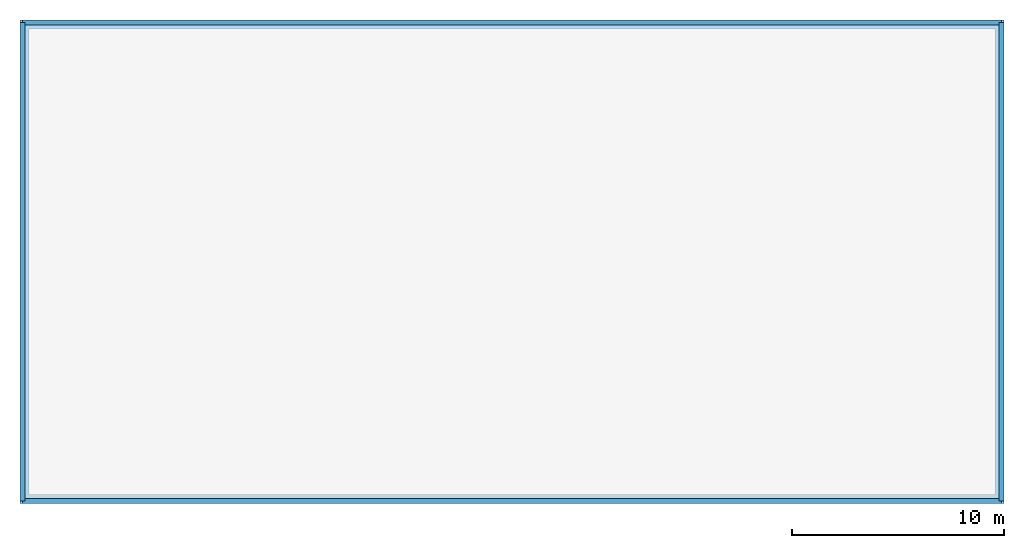
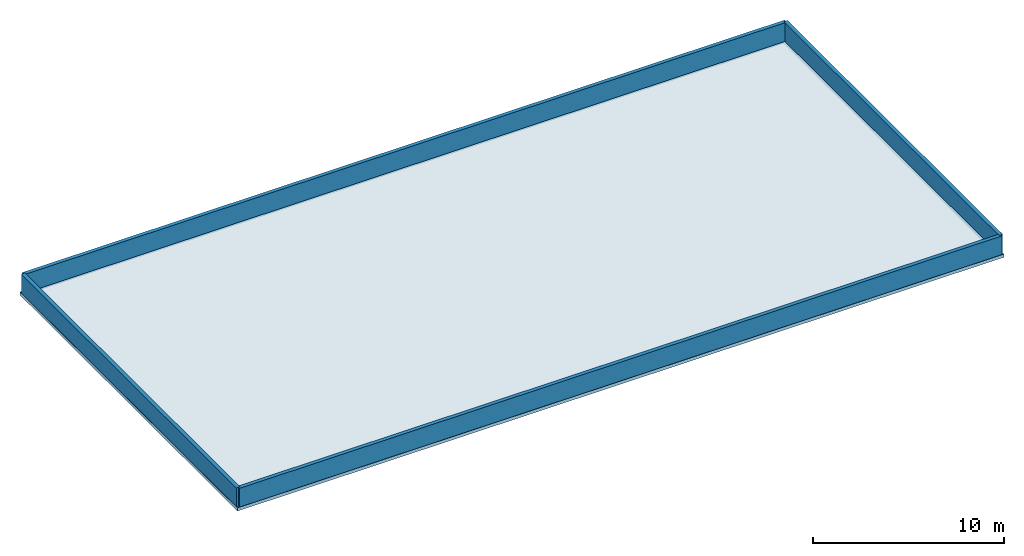
# One storey, part 1 of 2: 4 walls, 1 slab, 1 element without a shape of its own.
"""IFC4 building model written with IfcOpenShell, lengths in metres."""

from ifc_helpers import new_model, si_unit, direction, frame, frame_2d, origin, place, context, subcontext, project, spatial, polyline, rectangle, outline, extrude, material, layer, layer_set, type_object, element, aggregate, save


model = new_model("IFC4")

# Units and contexts
model_context = context("Model", 3, precision=1e-05, world=origin(), true_north=direction((0.0, 1.0)))
body_context = subcontext(model_context, "Body", "Model", "MODEL_VIEW")
ifc_project = project(units=[si_unit("LENGTHUNIT", "METRE"), si_unit("AREAUNIT", "SQUARE_METRE"), si_unit("VOLUMEUNIT", "CUBIC_METRE"), si_unit("PLANEANGLEUNIT", "RADIAN"), si_unit("MASSUNIT", "GRAM", prefix="KILO")], contexts=[model_context])

# Site, building, storey
site_placement = place(None, origin())
site = spatial("IfcSite", under=ifc_project, at=site_placement, CompositionType="ELEMENT")
building_placement = place(site_placement, origin())
building = spatial("IfcBuilding", under=site, at=building_placement, Name="Zulena Civic Courthouse", CompositionType="ELEMENT")
storey_placement = place(building_placement, frame((0.0, 0.0, 46.199951171875)))
storey = spatial("IfcBuildingStorey", under=building, at=storey_placement, Name="Roof", CompositionType="ELEMENT", Elevation=46.199951171875)

# Roof, slab
ifc_material_1 = material(Name="Insulated standing-seam zinc-aluminium roofing", Category="aluminium")
ifc_layer_1 = layer(ifc_material_1, 0.205078125)
ifc_layer_set_1 = layer_set([ifc_layer_1], Name="Insulated standing-seam zinc-aluminium roofing")
roof_type = type_object("IfcRoofType", Name="FlatRoofAssembly", PredefinedType="FLAT_ROOF", material=ifc_layer_set_1)
roof_placement = place(storey_placement, origin())
roof = element("IfcRoof", 1, at=roof_placement, inside=storey, type_object=roof_type, Name="roof:V2:Roof", PredefinedType="FLAT_ROOF")
ifc_material_2 = material(Name="Concrete C35/45", Category="concrete")
ifc_layer_2 = layer(ifc_material_2, 0.205078125)
ifc_layer_set_2 = layer_set([ifc_layer_2], Name="Concrete C35/45")
slab_type = type_object("IfcSlabType", Name="FlatRoofSlab_205", PredefinedType="ROOF", material=ifc_layer_set_2)
slab_placement = place(storey_placement, frame((0.0, 0.0, -0.204833984375)))
slab = element("IfcSlab", 2, at=slab_placement, type_object=slab_type, Name="slab:roof:V2:Roof", PredefinedType="ROOF", context=body_context, shape_type="SweptSolid", body=[
    extrude(outline(polyline([(20.0, 0.0), (66.39990234375, 0.0), (66.39990234375, 22.800048828125), (20.0, 22.800048828125), (20.0, 0.0)])), origin(), (0.0, 0.0, 1.0), 0.204833984375),
])
aggregate(roof, [slab])

# Walls
ifc_material_3 = material(Name="White architectural precast concrete C40/50", Category="concrete")
ifc_layer_3 = layer(ifc_material_3, 0.22509765625)
ifc_layer_set_3 = layer_set([ifc_layer_3], Name="White architectural precast concrete C40/50")
wall_type = type_object("IfcWallType", Name="Parapet_White_225", PredefinedType="PARAPET", material=ifc_layer_set_3)
wall_1_placement = place(storey_placement, frame((20.1201171875, 0.1201171875, 0.0), z_axis=(0.0, 0.0, 1.0), x_axis=(1.0, 0.0, 0.0)))
element("IfcWall", 3, at=wall_1_placement, inside=storey, type_object=wall_type, Name="parapet:V2:0", PredefinedType="PARAPET", context=body_context, shape_type="SweptSolid", body=[
    extrude(rectangle(XDim=46.159912109375, YDim=0.22509765625, at=frame_2d((23.080078125, 0.0))), origin(), (0.0, 0.0, 1.0), 1.199951171875),
])
wall_2_placement = place(storey_placement, frame((66.280029296875, 0.1201171875, 0.0), z_axis=(0.0, 0.0, 1.0), x_axis=(0.0, 1.0, 0.0)))
element("IfcWall", 4, at=wall_2_placement, inside=storey, type_object=wall_type, Name="parapet:V2:1", PredefinedType="PARAPET", context=body_context, shape_type="SweptSolid", body=[
    extrude(rectangle(XDim=22.559814453125, YDim=0.22509765625, at=frame_2d((11.27978515625, 0.0))), origin(), (0.0, 0.0, 1.0), 1.199951171875),
])
wall_3_placement = place(storey_placement, frame((66.280029296875, 22.679931640625, 0.0), z_axis=(0.0, 0.0, 1.0), x_axis=(-1.0, 0.0, 0.0)))
element("IfcWall", 5, at=wall_3_placement, inside=storey, type_object=wall_type, Name="parapet:V2:2", PredefinedType="PARAPET", context=body_context, shape_type="SweptSolid", body=[
    extrude(rectangle(XDim=46.159912109375, YDim=0.22509765625, at=frame_2d((23.080078125, 0.0))), origin(), (0.0, 0.0, 1.0), 1.199951171875),
])
wall_4_placement = place(storey_placement, frame((20.1201171875, 22.679931640625, 0.0), z_axis=(0.0, 0.0, 1.0), x_axis=(0.0, -1.0, 0.0)))
element("IfcWall", 6, at=wall_4_placement, inside=storey, type_object=wall_type, Name="parapet:V2:3", PredefinedType="PARAPET", context=body_context, shape_type="SweptSolid", body=[
    extrude(rectangle(XDim=22.559814453125, YDim=0.22509765625, at=frame_2d((11.27978515625, 0.0))), origin(), (0.0, 0.0, 1.0), 1.199951171875),
])

save(model, "model.ifc")
